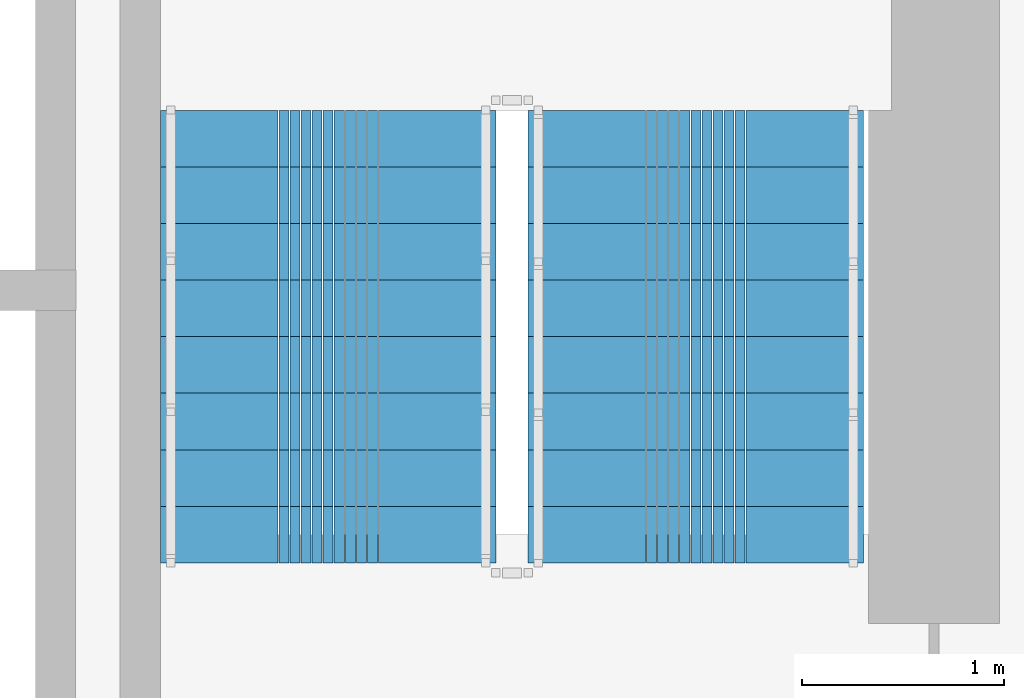
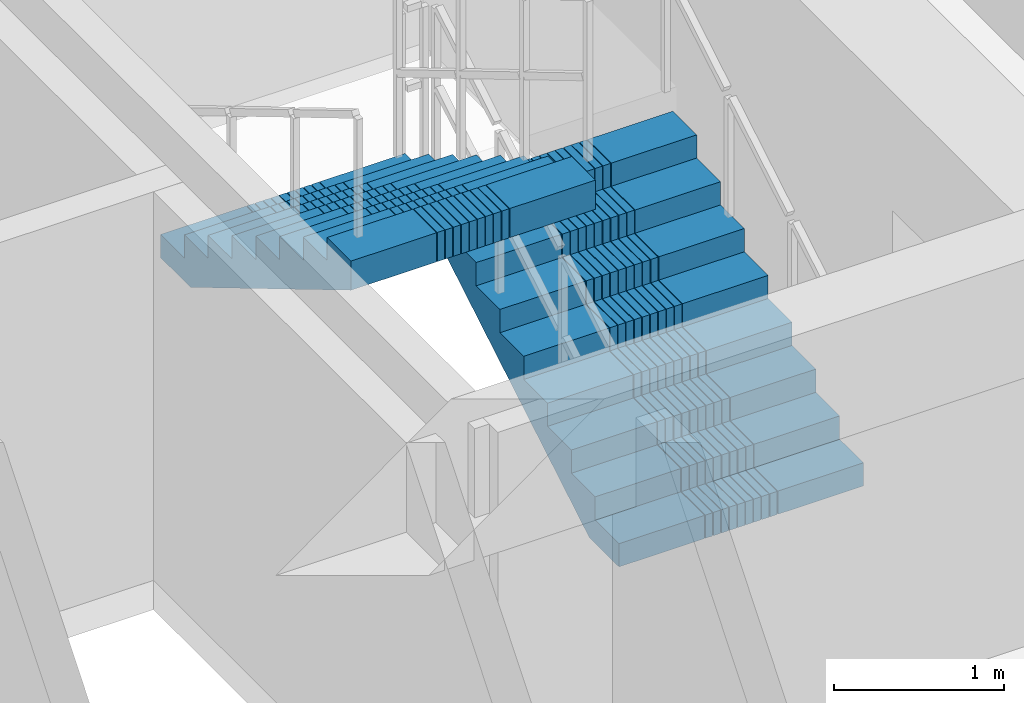
# One storey, part 9 of 15: 2 stair flights, 1 element without a shape of its own.
"""IFC4 building model written with IfcOpenShell, lengths in metres."""

from ifc_helpers import new_model, si_unit, direction, frame, origin, place, context, subcontext, project, spatial, polyline, outline, extrude, material, type_object, element, aggregate, save


model = new_model("IFC4")

# Units and contexts
model_context = context("Model", 3, precision=1e-05, world=origin(), true_north=direction((0.0, 1.0)))
body_context = subcontext(model_context, "Body", "Model", "MODEL_VIEW")
ifc_project = project(units=[si_unit("LENGTHUNIT", "METRE"), si_unit("AREAUNIT", "SQUARE_METRE"), si_unit("VOLUMEUNIT", "CUBIC_METRE"), si_unit("PLANEANGLEUNIT", "RADIAN"), si_unit("MASSUNIT", "GRAM", prefix="KILO")], contexts=[model_context])

# Site, building, storey
site_placement = place(None, origin())
site = spatial("IfcSite", under=ifc_project, at=site_placement, CompositionType="ELEMENT")
building_placement = place(site_placement, origin())
building = spatial("IfcBuilding", under=site, at=building_placement, Name="Saelheon Loggia Tower", CompositionType="ELEMENT")
storey_placement = place(building_placement, frame((0.0, 0.0, 49.39990234375)))
storey = spatial("IfcBuildingStorey", under=building, at=storey_placement, Name="L15", CompositionType="ELEMENT", Elevation=49.39990234375)

# Stair, stair flights
ifc_material = material(Name="Concrete C40/50", Category="concrete")
stair_type = type_object("IfcStairType", Name="Stair_Escape_Core", PredefinedType="HALF_TURN_STAIR", material=ifc_material)
stair_placement = place(storey_placement, origin())
stair = element("IfcStair", 1, at=stair_placement, inside=storey, type_object=stair_type, Name="L15 Special Escape Stair ST2", PredefinedType="HALF_TURN_STAIR")
stair_flight_type = type_object("IfcStairFlightType", Name="StairFlight_Tower_1660", PredefinedType="STRAIGHT", material=ifc_material)
stair_flight_1_placement = place(storey_placement, frame((43.320068359375, 30.449951171875, 0.0), z_axis=(0.0, 0.0, 1.0), x_axis=(0.0, 1.0, 0.0)))
stair_flight_1 = element("IfcStairFlight", 2, at=stair_flight_1_placement, type_object=stair_flight_type, Name="ST2 flight 1", NumberOfRisers=9, NumberOfTreads=8, PredefinedType="STRAIGHT", RiserHeight=0.166666667, TreadLength=0.28, context=body_context, shape_type="SweptSolid", body=[
    extrude(outline(polyline([(0.0, 0.0), (0.0, 0.166748046875), (0.280029296875, 0.166748046875), (0.280029296875, 0.333251953125), (0.56005859375, 0.333251953125), (0.56005859375, 0.5), (0.840087890625, 0.5), (0.840087890625, 0.666748046875), (1.1201171875, 0.666748046875), (1.1201171875, 0.833251953125), (1.39990234375, 0.833251953125), (1.39990234375, 1.0), (1.679931640625, 1.0), (1.679931640625, 1.166748046875), (1.9599609375, 1.166748046875), (1.9599609375, 1.333251953125), (2.239990234375, 1.333251953125), (2.239990234375, 1.5), (2.239990234375, 1.1240234375), (0.351806640625, 0.0), (0.0, 0.0)])), frame((0.0, -0.2490234375, 0.0), z_axis=(0.0, -1.0, 0.0), x_axis=(1.0, 0.0, 0.0)), (0.0, 0.0, 1.0), 0.5810546875),
    extrude(outline(polyline([(0.0, 0.0), (0.0, 0.166748046875), (0.280029296875, 0.166748046875), (0.280029296875, 0.333251953125), (0.56005859375, 0.333251953125), (0.56005859375, 0.5), (0.840087890625, 0.5), (0.840087890625, 0.666748046875), (1.1201171875, 0.666748046875), (1.1201171875, 0.833251953125), (1.39990234375, 0.833251953125), (1.39990234375, 1.0), (1.679931640625, 1.0), (1.679931640625, 1.166748046875), (1.9599609375, 1.166748046875), (1.9599609375, 1.333251953125), (2.239990234375, 1.333251953125), (2.239990234375, 1.5), (2.239990234375, 1.1240234375), (0.351806640625, 0.0), (0.0, 0.0)])), frame((0.0, -0.194091796875, 0.0), z_axis=(0.0, -1.0, 0.0), x_axis=(1.0, 0.0, 0.0)), (0.0, 0.0, 1.0), 0.0498046875),
    extrude(outline(polyline([(0.0, 0.0), (0.0, 0.166748046875), (0.280029296875, 0.166748046875), (0.280029296875, 0.333251953125), (0.56005859375, 0.333251953125), (0.56005859375, 0.5), (0.840087890625, 0.5), (0.840087890625, 0.666748046875), (1.1201171875, 0.666748046875), (1.1201171875, 0.833251953125), (1.39990234375, 0.833251953125), (1.39990234375, 1.0), (1.679931640625, 1.0), (1.679931640625, 1.166748046875), (1.9599609375, 1.166748046875), (1.9599609375, 1.333251953125), (2.239990234375, 1.333251953125), (2.239990234375, 1.5), (2.239990234375, 1.1240234375), (0.351806640625, 0.0), (0.0, 0.0)])), frame((0.0, -0.139404296875, 0.0), z_axis=(0.0, -1.0, 0.0), x_axis=(1.0, 0.0, 0.0)), (0.0, 0.0, 1.0), 0.0498046875),
    extrude(outline(polyline([(0.0, 0.0), (0.0, 0.166748046875), (0.280029296875, 0.166748046875), (0.280029296875, 0.333251953125), (0.56005859375, 0.333251953125), (0.56005859375, 0.5), (0.840087890625, 0.5), (0.840087890625, 0.666748046875), (1.1201171875, 0.666748046875), (1.1201171875, 0.833251953125), (1.39990234375, 0.833251953125), (1.39990234375, 1.0), (1.679931640625, 1.0), (1.679931640625, 1.166748046875), (1.9599609375, 1.166748046875), (1.9599609375, 1.333251953125), (2.239990234375, 1.333251953125), (2.239990234375, 1.5), (2.239990234375, 1.1240234375), (0.351806640625, 0.0), (0.0, 0.0)])), frame((0.0, -0.084716796875, 0.0), z_axis=(0.0, -1.0, 0.0), x_axis=(1.0, 0.0, 0.0)), (0.0, 0.0, 1.0), 0.0498046875),
    extrude(outline(polyline([(0.0, 0.0), (0.0, 0.166748046875), (0.280029296875, 0.166748046875), (0.280029296875, 0.333251953125), (0.56005859375, 0.333251953125), (0.56005859375, 0.5), (0.840087890625, 0.5), (0.840087890625, 0.666748046875), (1.1201171875, 0.666748046875), (1.1201171875, 0.833251953125), (1.39990234375, 0.833251953125), (1.39990234375, 1.0), (1.679931640625, 1.0), (1.679931640625, 1.166748046875), (1.9599609375, 1.166748046875), (1.9599609375, 1.333251953125), (2.239990234375, 1.333251953125), (2.239990234375, 1.5), (2.239990234375, 1.1240234375), (0.351806640625, 0.0), (0.0, 0.0)])), frame((0.0, -0.02978515625, 0.0), z_axis=(0.0, -1.0, 0.0), x_axis=(1.0, 0.0, 0.0)), (0.0, 0.0, 1.0), 0.0498046875),
    extrude(outline(polyline([(0.0, 0.0), (0.0, 0.166748046875), (0.280029296875, 0.166748046875), (0.280029296875, 0.333251953125), (0.56005859375, 0.333251953125), (0.56005859375, 0.5), (0.840087890625, 0.5), (0.840087890625, 0.666748046875), (1.1201171875, 0.666748046875), (1.1201171875, 0.833251953125), (1.39990234375, 0.833251953125), (1.39990234375, 1.0), (1.679931640625, 1.0), (1.679931640625, 1.166748046875), (1.9599609375, 1.166748046875), (1.9599609375, 1.333251953125), (2.239990234375, 1.333251953125), (2.239990234375, 1.5), (2.239990234375, 1.1240234375), (0.351806640625, 0.0), (0.0, 0.0)])), frame((0.0, 0.02490234375, 0.0), z_axis=(0.0, -1.0, 0.0), x_axis=(1.0, 0.0, 0.0)), (0.0, 0.0, 1.0), 0.0498046875),
    extrude(outline(polyline([(0.0, 0.0), (0.0, 0.166748046875), (0.280029296875, 0.166748046875), (0.280029296875, 0.333251953125), (0.56005859375, 0.333251953125), (0.56005859375, 0.5), (0.840087890625, 0.5), (0.840087890625, 0.666748046875), (1.1201171875, 0.666748046875), (1.1201171875, 0.833251953125), (1.39990234375, 0.833251953125), (1.39990234375, 1.0), (1.679931640625, 1.0), (1.679931640625, 1.166748046875), (1.9599609375, 1.166748046875), (1.9599609375, 1.333251953125), (2.239990234375, 1.333251953125), (2.239990234375, 1.5), (2.239990234375, 1.1240234375), (0.351806640625, 0.0), (0.0, 0.0)])), frame((0.0, 0.07958984375, 0.0), z_axis=(0.0, -1.0, 0.0), x_axis=(1.0, 0.0, 0.0)), (0.0, 0.0, 1.0), 0.0498046875),
    extrude(outline(polyline([(0.0, 0.0), (0.0, 0.166748046875), (0.280029296875, 0.166748046875), (0.280029296875, 0.333251953125), (0.56005859375, 0.333251953125), (0.56005859375, 0.5), (0.840087890625, 0.5), (0.840087890625, 0.666748046875), (1.1201171875, 0.666748046875), (1.1201171875, 0.833251953125), (1.39990234375, 0.833251953125), (1.39990234375, 1.0), (1.679931640625, 1.0), (1.679931640625, 1.166748046875), (1.9599609375, 1.166748046875), (1.9599609375, 1.333251953125), (2.239990234375, 1.333251953125), (2.239990234375, 1.5), (2.239990234375, 1.1240234375), (0.351806640625, 0.0), (0.0, 0.0)])), frame((0.0, 0.134521484375, 0.0), z_axis=(0.0, -1.0, 0.0), x_axis=(1.0, 0.0, 0.0)), (0.0, 0.0, 1.0), 0.0498046875),
    extrude(outline(polyline([(0.0, 0.0), (0.0, 0.166748046875), (0.280029296875, 0.166748046875), (0.280029296875, 0.333251953125), (0.56005859375, 0.333251953125), (0.56005859375, 0.5), (0.840087890625, 0.5), (0.840087890625, 0.666748046875), (1.1201171875, 0.666748046875), (1.1201171875, 0.833251953125), (1.39990234375, 0.833251953125), (1.39990234375, 1.0), (1.679931640625, 1.0), (1.679931640625, 1.166748046875), (1.9599609375, 1.166748046875), (1.9599609375, 1.333251953125), (2.239990234375, 1.333251953125), (2.239990234375, 1.5), (2.239990234375, 1.1240234375), (0.351806640625, 0.0), (0.0, 0.0)])), frame((0.0, 0.189208984375, 0.0), z_axis=(0.0, -1.0, 0.0), x_axis=(1.0, 0.0, 0.0)), (0.0, 0.0, 1.0), 0.0498046875),
    extrude(outline(polyline([(0.0, 0.0), (0.0, 0.166748046875), (0.280029296875, 0.166748046875), (0.280029296875, 0.333251953125), (0.56005859375, 0.333251953125), (0.56005859375, 0.5), (0.840087890625, 0.5), (0.840087890625, 0.666748046875), (1.1201171875, 0.666748046875), (1.1201171875, 0.833251953125), (1.39990234375, 0.833251953125), (1.39990234375, 1.0), (1.679931640625, 1.0), (1.679931640625, 1.166748046875), (1.9599609375, 1.166748046875), (1.9599609375, 1.333251953125), (2.239990234375, 1.333251953125), (2.239990234375, 1.5), (2.239990234375, 1.1240234375), (0.351806640625, 0.0), (0.0, 0.0)])), frame((0.0, 0.243896484375, 0.0), z_axis=(0.0, -1.0, 0.0), x_axis=(1.0, 0.0, 0.0)), (0.0, 0.0, 1.0), 0.0498046875),
    extrude(outline(polyline([(0.0, 0.0), (0.0, 0.166748046875), (0.280029296875, 0.166748046875), (0.280029296875, 0.333251953125), (0.56005859375, 0.333251953125), (0.56005859375, 0.5), (0.840087890625, 0.5), (0.840087890625, 0.666748046875), (1.1201171875, 0.666748046875), (1.1201171875, 0.833251953125), (1.39990234375, 0.833251953125), (1.39990234375, 1.0), (1.679931640625, 1.0), (1.679931640625, 1.166748046875), (1.9599609375, 1.166748046875), (1.9599609375, 1.333251953125), (2.239990234375, 1.333251953125), (2.239990234375, 1.5), (2.239990234375, 1.1240234375), (0.351806640625, 0.0), (0.0, 0.0)])), frame((0.0, 0.830078125, 0.0), z_axis=(0.0, -1.0, 0.0), x_axis=(1.0, 0.0, 0.0)), (0.0, 0.0, 1.0), 0.5810546875),
])
stair_flight_2_placement = place(storey_placement, frame((41.5, 32.68994140625, 1.5), z_axis=(0.0, 0.0, 1.0), x_axis=(0.0, -1.0, 0.0)))
stair_flight_2 = element("IfcStairFlight", 3, at=stair_flight_2_placement, type_object=stair_flight_type, Name="ST2 flight 2", NumberOfRisers=9, NumberOfTreads=8, PredefinedType="STRAIGHT", RiserHeight=0.166666667, TreadLength=0.28, context=body_context, shape_type="SweptSolid", body=[
    extrude(outline(polyline([(0.0, 0.0), (0.0, 0.166748046875), (0.280029296875, 0.166748046875), (0.280029296875, 0.333251953125), (0.56005859375, 0.333251953125), (0.56005859375, 0.5), (0.840087890625, 0.5), (0.840087890625, 0.666748046875), (1.1201171875, 0.666748046875), (1.1201171875, 0.833251953125), (1.39990234375, 0.833251953125), (1.39990234375, 1.0), (1.679931640625, 1.0), (1.679931640625, 1.166748046875), (1.9599609375, 1.166748046875), (1.9599609375, 1.333251953125), (2.239990234375, 1.333251953125), (2.239990234375, 1.5), (2.239990234375, 1.1240234375), (0.351806640625, 0.0), (0.0, 0.0)])), frame((0.0, -0.2490234375, 0.0), z_axis=(0.0, -1.0, 0.0), x_axis=(1.0, 0.0, 0.0)), (0.0, 0.0, 1.0), 0.5810546875),
    extrude(outline(polyline([(0.0, 0.0), (0.0, 0.166748046875), (0.280029296875, 0.166748046875), (0.280029296875, 0.333251953125), (0.56005859375, 0.333251953125), (0.56005859375, 0.5), (0.840087890625, 0.5), (0.840087890625, 0.666748046875), (1.1201171875, 0.666748046875), (1.1201171875, 0.833251953125), (1.39990234375, 0.833251953125), (1.39990234375, 1.0), (1.679931640625, 1.0), (1.679931640625, 1.166748046875), (1.9599609375, 1.166748046875), (1.9599609375, 1.333251953125), (2.239990234375, 1.333251953125), (2.239990234375, 1.5), (2.239990234375, 1.1240234375), (0.351806640625, 0.0), (0.0, 0.0)])), frame((0.0, -0.194091796875, 0.0), z_axis=(0.0, -1.0, 0.0), x_axis=(1.0, 0.0, 0.0)), (0.0, 0.0, 1.0), 0.0498046875),
    extrude(outline(polyline([(0.0, 0.0), (0.0, 0.166748046875), (0.280029296875, 0.166748046875), (0.280029296875, 0.333251953125), (0.56005859375, 0.333251953125), (0.56005859375, 0.5), (0.840087890625, 0.5), (0.840087890625, 0.666748046875), (1.1201171875, 0.666748046875), (1.1201171875, 0.833251953125), (1.39990234375, 0.833251953125), (1.39990234375, 1.0), (1.679931640625, 1.0), (1.679931640625, 1.166748046875), (1.9599609375, 1.166748046875), (1.9599609375, 1.333251953125), (2.239990234375, 1.333251953125), (2.239990234375, 1.5), (2.239990234375, 1.1240234375), (0.351806640625, 0.0), (0.0, 0.0)])), frame((0.0, -0.139404296875, 0.0), z_axis=(0.0, -1.0, 0.0), x_axis=(1.0, 0.0, 0.0)), (0.0, 0.0, 1.0), 0.0498046875),
    extrude(outline(polyline([(0.0, 0.0), (0.0, 0.166748046875), (0.280029296875, 0.166748046875), (0.280029296875, 0.333251953125), (0.56005859375, 0.333251953125), (0.56005859375, 0.5), (0.840087890625, 0.5), (0.840087890625, 0.666748046875), (1.1201171875, 0.666748046875), (1.1201171875, 0.833251953125), (1.39990234375, 0.833251953125), (1.39990234375, 1.0), (1.679931640625, 1.0), (1.679931640625, 1.166748046875), (1.9599609375, 1.166748046875), (1.9599609375, 1.333251953125), (2.239990234375, 1.333251953125), (2.239990234375, 1.5), (2.239990234375, 1.1240234375), (0.351806640625, 0.0), (0.0, 0.0)])), frame((0.0, -0.084716796875, 0.0), z_axis=(0.0, -1.0, 0.0), x_axis=(1.0, 0.0, 0.0)), (0.0, 0.0, 1.0), 0.0498046875),
    extrude(outline(polyline([(0.0, 0.0), (0.0, 0.166748046875), (0.280029296875, 0.166748046875), (0.280029296875, 0.333251953125), (0.56005859375, 0.333251953125), (0.56005859375, 0.5), (0.840087890625, 0.5), (0.840087890625, 0.666748046875), (1.1201171875, 0.666748046875), (1.1201171875, 0.833251953125), (1.39990234375, 0.833251953125), (1.39990234375, 1.0), (1.679931640625, 1.0), (1.679931640625, 1.166748046875), (1.9599609375, 1.166748046875), (1.9599609375, 1.333251953125), (2.239990234375, 1.333251953125), (2.239990234375, 1.5), (2.239990234375, 1.1240234375), (0.351806640625, 0.0), (0.0, 0.0)])), frame((0.0, -0.02978515625, 0.0), z_axis=(0.0, -1.0, 0.0), x_axis=(1.0, 0.0, 0.0)), (0.0, 0.0, 1.0), 0.0498046875),
    extrude(outline(polyline([(0.0, 0.0), (0.0, 0.166748046875), (0.280029296875, 0.166748046875), (0.280029296875, 0.333251953125), (0.56005859375, 0.333251953125), (0.56005859375, 0.5), (0.840087890625, 0.5), (0.840087890625, 0.666748046875), (1.1201171875, 0.666748046875), (1.1201171875, 0.833251953125), (1.39990234375, 0.833251953125), (1.39990234375, 1.0), (1.679931640625, 1.0), (1.679931640625, 1.166748046875), (1.9599609375, 1.166748046875), (1.9599609375, 1.333251953125), (2.239990234375, 1.333251953125), (2.239990234375, 1.5), (2.239990234375, 1.1240234375), (0.351806640625, 0.0), (0.0, 0.0)])), frame((0.0, 0.02490234375, 0.0), z_axis=(0.0, -1.0, 0.0), x_axis=(1.0, 0.0, 0.0)), (0.0, 0.0, 1.0), 0.0498046875),
    extrude(outline(polyline([(0.0, 0.0), (0.0, 0.166748046875), (0.280029296875, 0.166748046875), (0.280029296875, 0.333251953125), (0.56005859375, 0.333251953125), (0.56005859375, 0.5), (0.840087890625, 0.5), (0.840087890625, 0.666748046875), (1.1201171875, 0.666748046875), (1.1201171875, 0.833251953125), (1.39990234375, 0.833251953125), (1.39990234375, 1.0), (1.679931640625, 1.0), (1.679931640625, 1.166748046875), (1.9599609375, 1.166748046875), (1.9599609375, 1.333251953125), (2.239990234375, 1.333251953125), (2.239990234375, 1.5), (2.239990234375, 1.1240234375), (0.351806640625, 0.0), (0.0, 0.0)])), frame((0.0, 0.07958984375, 0.0), z_axis=(0.0, -1.0, 0.0), x_axis=(1.0, 0.0, 0.0)), (0.0, 0.0, 1.0), 0.0498046875),
    extrude(outline(polyline([(0.0, 0.0), (0.0, 0.166748046875), (0.280029296875, 0.166748046875), (0.280029296875, 0.333251953125), (0.56005859375, 0.333251953125), (0.56005859375, 0.5), (0.840087890625, 0.5), (0.840087890625, 0.666748046875), (1.1201171875, 0.666748046875), (1.1201171875, 0.833251953125), (1.39990234375, 0.833251953125), (1.39990234375, 1.0), (1.679931640625, 1.0), (1.679931640625, 1.166748046875), (1.9599609375, 1.166748046875), (1.9599609375, 1.333251953125), (2.239990234375, 1.333251953125), (2.239990234375, 1.5), (2.239990234375, 1.1240234375), (0.351806640625, 0.0), (0.0, 0.0)])), frame((0.0, 0.134521484375, 0.0), z_axis=(0.0, -1.0, 0.0), x_axis=(1.0, 0.0, 0.0)), (0.0, 0.0, 1.0), 0.0498046875),
    extrude(outline(polyline([(0.0, 0.0), (0.0, 0.166748046875), (0.280029296875, 0.166748046875), (0.280029296875, 0.333251953125), (0.56005859375, 0.333251953125), (0.56005859375, 0.5), (0.840087890625, 0.5), (0.840087890625, 0.666748046875), (1.1201171875, 0.666748046875), (1.1201171875, 0.833251953125), (1.39990234375, 0.833251953125), (1.39990234375, 1.0), (1.679931640625, 1.0), (1.679931640625, 1.166748046875), (1.9599609375, 1.166748046875), (1.9599609375, 1.333251953125), (2.239990234375, 1.333251953125), (2.239990234375, 1.5), (2.239990234375, 1.1240234375), (0.351806640625, 0.0), (0.0, 0.0)])), frame((0.0, 0.189208984375, 0.0), z_axis=(0.0, -1.0, 0.0), x_axis=(1.0, 0.0, 0.0)), (0.0, 0.0, 1.0), 0.0498046875),
    extrude(outline(polyline([(0.0, 0.0), (0.0, 0.166748046875), (0.280029296875, 0.166748046875), (0.280029296875, 0.333251953125), (0.56005859375, 0.333251953125), (0.56005859375, 0.5), (0.840087890625, 0.5), (0.840087890625, 0.666748046875), (1.1201171875, 0.666748046875), (1.1201171875, 0.833251953125), (1.39990234375, 0.833251953125), (1.39990234375, 1.0), (1.679931640625, 1.0), (1.679931640625, 1.166748046875), (1.9599609375, 1.166748046875), (1.9599609375, 1.333251953125), (2.239990234375, 1.333251953125), (2.239990234375, 1.5), (2.239990234375, 1.1240234375), (0.351806640625, 0.0), (0.0, 0.0)])), frame((0.0, 0.243896484375, 0.0), z_axis=(0.0, -1.0, 0.0), x_axis=(1.0, 0.0, 0.0)), (0.0, 0.0, 1.0), 0.0498046875),
    extrude(outline(polyline([(0.0, 0.0), (0.0, 0.166748046875), (0.280029296875, 0.166748046875), (0.280029296875, 0.333251953125), (0.56005859375, 0.333251953125), (0.56005859375, 0.5), (0.840087890625, 0.5), (0.840087890625, 0.666748046875), (1.1201171875, 0.666748046875), (1.1201171875, 0.833251953125), (1.39990234375, 0.833251953125), (1.39990234375, 1.0), (1.679931640625, 1.0), (1.679931640625, 1.166748046875), (1.9599609375, 1.166748046875), (1.9599609375, 1.333251953125), (2.239990234375, 1.333251953125), (2.239990234375, 1.5), (2.239990234375, 1.1240234375), (0.351806640625, 0.0), (0.0, 0.0)])), frame((0.0, 0.830078125, 0.0), z_axis=(0.0, -1.0, 0.0), x_axis=(1.0, 0.0, 0.0)), (0.0, 0.0, 1.0), 0.5810546875),
])
aggregate(stair, [stair_flight_1, stair_flight_2])

save(model, "model.ifc")
